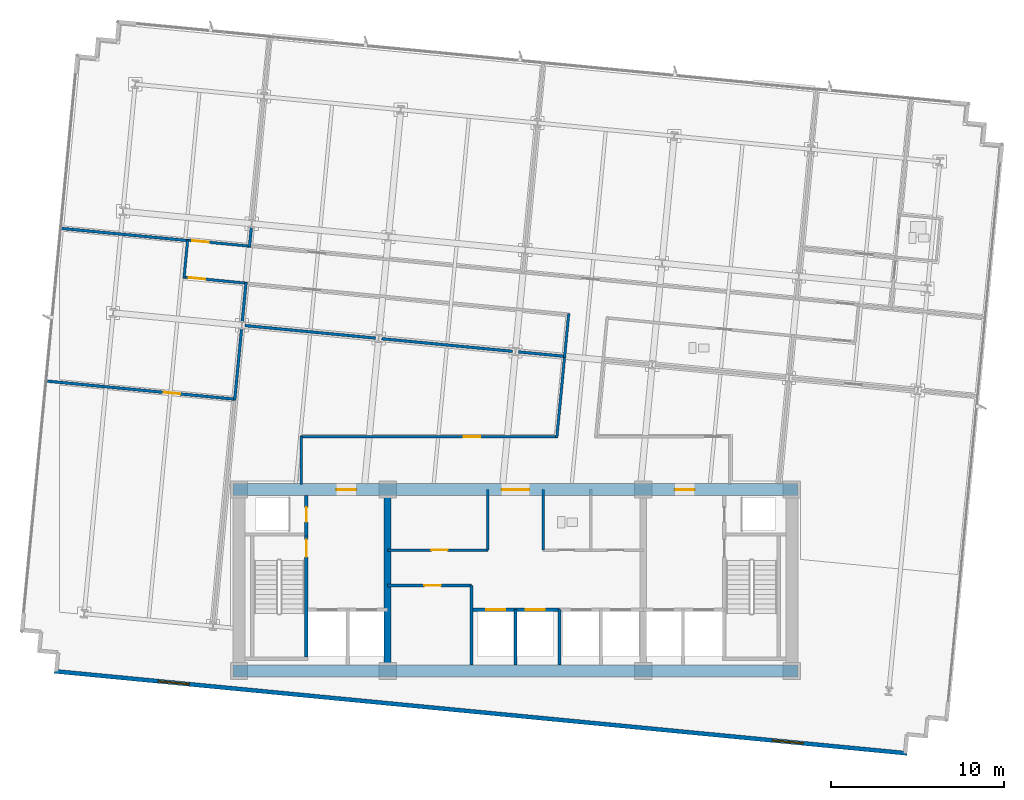
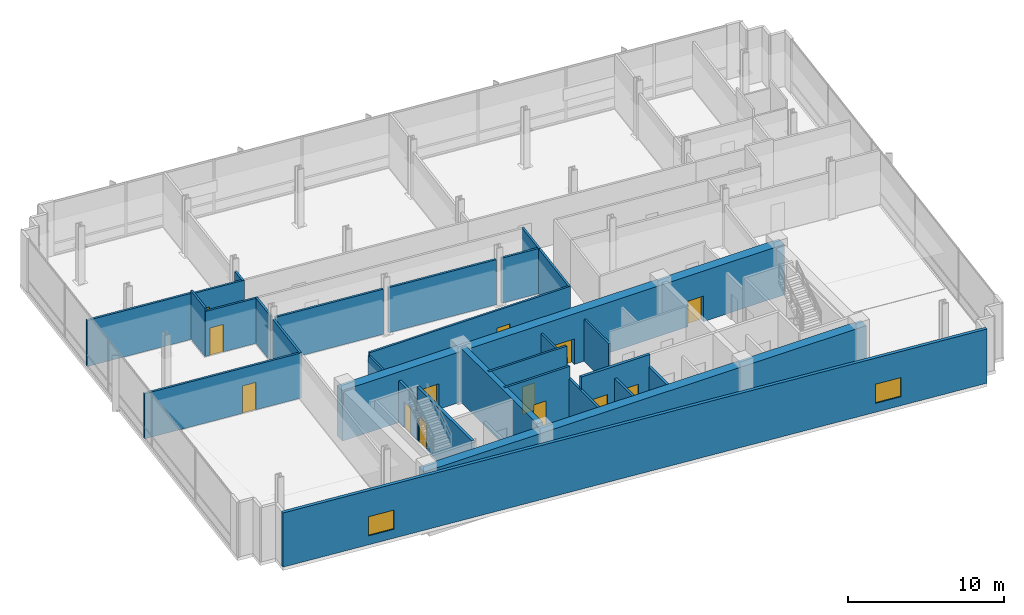
# One storey, part 11 of 17: 29 walls, 13 doors, 2 windows, 15 openings.
"""IFC4 building model written with IfcOpenShell, lengths in metres."""

from ifc_helpers import new_model, si_unit, direction, frame, frame_2d, origin, place, context, subcontext, project, spatial, rectangle, extrude, material, layer, layer_set, type_object, element, fill, save


model = new_model("IFC4")

# Units and contexts
model_context = context("Model", 3, precision=1e-05, world=origin(), true_north=direction((0.0, 1.0)))
body_context = subcontext(model_context, "Body", "Model", "MODEL_VIEW")
ifc_project = project(units=[si_unit("LENGTHUNIT", "METRE"), si_unit("AREAUNIT", "SQUARE_METRE"), si_unit("VOLUMEUNIT", "CUBIC_METRE"), si_unit("PLANEANGLEUNIT", "RADIAN"), si_unit("MASSUNIT", "GRAM", prefix="KILO")], contexts=[model_context])

# Site, building, storey
site_placement = place(None, origin())
site = spatial("IfcSite", under=ifc_project, at=site_placement, CompositionType="ELEMENT")
building_placement = place(site_placement, origin())
building = spatial("IfcBuilding", under=site, at=building_placement, Name="Solmavex Isthmus Hotel", CompositionType="ELEMENT")
storey_placement = place(building_placement, frame((0.0, 0.0, 177.300048828125)))
storey = spatial("IfcBuildingStorey", under=building, at=storey_placement, Name="L48", CompositionType="ELEMENT", Elevation=177.300048828125)

# Wall, openings, windows
ifc_material_1 = material(Name="Precast Concrete C40/50", Category="concrete")
ifc_layer_1 = layer(ifc_material_1, 0.25)
ifc_layer_set_1 = layer_set([ifc_layer_1], Name="Precast Concrete C40/50")
wall_type_1 = type_object("IfcWallType", Name="EW-TWR-250", PredefinedType="STANDARD", material=ifc_layer_set_1)
wall_1_placement = place(storey_placement, frame((-26.6953125, -13.01611328125, 0.0), z_axis=(0.0, 0.0, 1.0), x_axis=(0.995396268366, -0.095845025554, 0.0)))
wall_1 = element("IfcWall", 1, at=wall_1_placement, inside=storey, type_object=wall_type_1, Name="Tower Rear South Facade Wall L48", PredefinedType="STANDARD", context=body_context, shape_type="SweptSolid", body=[
    extrude(rectangle(XDim=49.599853515625, YDim=0.239990234375, at=frame_2d((24.7998046875, 0.0))), origin(), (0.0, 0.0, 1.0), 4.239990234375),
])
opening_1_placement = place(wall_1_placement, frame((6.0439453125, 0.0, 0.699951171875)))
opening_1 = element("IfcOpeningElement", 2, at=opening_1_placement, cuts=wall_1, Name="Opening WN-02", PredefinedType="OPENING", context=body_context, shape_type="SweptSolid", body=[
    extrude(rectangle(XDim=1.800048828125, YDim=1.5, at=frame_2d((0.89990234375, 0.75))), frame((0.0, 0.1298828125, 0.0), z_axis=(0.0, -1.0, 0.0), x_axis=(1.0, 0.0, 0.0)), (0.0, 0.0, 1.0), 0.260009765625),
])
opening_2_placement = place(wall_1_placement, frame((41.756103515625, 0.0, 0.699951171875)))
opening_2 = element("IfcOpeningElement", 3, at=opening_2_placement, cuts=wall_1, Name="Opening WN-02", PredefinedType="OPENING", context=body_context, shape_type="SweptSolid", body=[
    extrude(rectangle(XDim=1.800048828125, YDim=1.5, at=frame_2d((0.89990234375, 0.75))), frame((0.0, 0.1298828125, 0.0), z_axis=(0.0, -1.0, 0.0), x_axis=(1.0, 0.0, 0.0)), (0.0, 0.0, 1.0), 0.260009765625),
])
ifc_material_2 = material(Name="Clear low-E laminated glass", Category="glass")
window_type = type_object("IfcWindowType", Name="WIN-TWR-1800", PartitioningType="SINGLE_PANEL", PredefinedType="WINDOW", material=ifc_material_2)
window_1_placement = place(opening_1_placement, origin())
window_1 = element("IfcWindow", 4, at=window_1_placement, inside=storey, type_object=window_type, Name="South Facade Vision Window L48-S1", OverallHeight=1.5, OverallWidth=1.800048828125, PartitioningType="SINGLE_PANEL", PredefinedType="WINDOW", context=body_context, shape_type="SweptSolid", body=[
    extrude(rectangle(XDim=1.800048828125, YDim=1.5, at=frame_2d((0.89990234375, 0.75))), frame((0.0, 0.030029296875, 0.0), z_axis=(0.0, -1.0, 0.0), x_axis=(1.0, 0.0, 0.0)), (0.0, 0.0, 1.0), 0.06005859375),
])
fill(opening_1, window_1)
window_2_placement = place(opening_2_placement, origin())
window_2 = element("IfcWindow", 5, at=window_2_placement, inside=storey, type_object=window_type, Name="South Facade Vision Window L48-S2", OverallHeight=1.5, OverallWidth=1.800048828125, PartitioningType="SINGLE_PANEL", PredefinedType="WINDOW", context=body_context, shape_type="SweptSolid", body=[
    extrude(rectangle(XDim=1.800048828125, YDim=1.5, at=frame_2d((0.89990234375, 0.75))), frame((0.0, 0.030029296875, 0.0), z_axis=(0.0, -1.0, 0.0), x_axis=(1.0, 0.0, 0.0)), (0.0, 0.0, 1.0), 0.06005859375),
])
fill(opening_2, window_2)

# Wall, opening, door
ifc_material_3 = material(Name="Gypsum plasterboard lining", Category="gypsum")
ifc_layer_2 = layer(ifc_material_3, 0.159912109375)
ifc_layer_set_2 = layer_set([ifc_layer_2], Name="Gypsum plasterboard lining")
wall_type_2 = type_object("IfcWallType", Name="IW-COMP-160", PredefinedType="PARTITIONING", material=ifc_layer_set_2)
wall_2_placement = place(storey_placement, frame((-7.39990234375, -8.050048828125, 0.0), z_axis=(0.0, 0.0, 1.0), x_axis=(1.0, 0.0, 0.0)))
wall_2 = element("IfcWall", 6, at=wall_2_placement, inside=storey, type_object=wall_type_2, Name="Interior Partition Wall W-L48-REC-PLL-N", PredefinedType="PARTITIONING", context=body_context, shape_type="SweptSolid", body=[
    extrude(rectangle(XDim=4.849853515625, YDim=0.159912109375, at=frame_2d((2.4248046875, 0.0))), origin(), (0.0, 0.0, 1.0), 4.239990234375),
])
opening_3_placement = place(wall_2_placement, frame((2.125, 0.0, 0.0)))
opening_3 = element("IfcOpeningElement", 7, at=opening_3_placement, cuts=wall_2, Name="Opening ID-C095", PredefinedType="OPENING", context=body_context, shape_type="SweptSolid", body=[
    extrude(rectangle(XDim=0.949951171875, YDim=2.14990234375, at=frame_2d((0.47509765625, 1.074951171875))), frame((0.0, 0.08984375, 0.0), z_axis=(0.0, -1.0, 0.0), x_axis=(1.0, 0.0, 0.0)), (0.0, 0.0, 1.0), 0.179931640625),
])
ifc_material_4 = material(Name="Hardwood timber", Category="wood")
door_type_1 = type_object("IfcDoorType", Name="IDR-FD60-0950", OperationType="NOTDEFINED", PredefinedType="DOOR", material=ifc_material_4)
door_1_placement = place(opening_3_placement, origin())
door_1 = element("IfcDoor", 8, at=door_1_placement, inside=storey, type_object=door_type_1, Name="Linen Reserve Door L48", OperationType="SINGLE_SWING_LEFT", OverallHeight=2.14990234375, OverallWidth=0.949951171875, PredefinedType="DOOR", context=body_context, shape_type="SweptSolid", body=[
    extrude(rectangle(XDim=0.949951171875, YDim=2.14990234375, at=frame_2d((0.47509765625, 1.074951171875))), frame((0.0, 0.02490234375, 0.0), z_axis=(0.0, -1.0, 0.0), x_axis=(1.0, 0.0, 0.0)), (0.0, 0.0, 1.0), 0.050048828125),
])
fill(opening_3, door_1)

# Walls
wall_3_placement = place(storey_placement, frame((-2.550048828125, -12.64990234375, 0.0), z_axis=(0.0, 0.0, 1.0), x_axis=(0.0, 1.0, 0.0)))
element("IfcWall", 9, at=wall_3_placement, inside=storey, type_object=wall_type_2, Name="Interior Partition Wall W-L48-REC-PLL-E", PredefinedType="PARTITIONING", context=body_context, shape_type="SweptSolid", body=[
    extrude(rectangle(XDim=4.599853515625, YDim=0.159912109375, at=frame_2d((2.2998046875, 0.0))), origin(), (0.0, 0.0, 1.0), 3.27490234375),
])
wall_4_placement = place(storey_placement, frame((-15.2880859375, 12.720947265625, 0.0), z_axis=(0.0, 0.0, 1.0), x_axis=(-0.095831494917, -0.995397571115, 0.0)))
element("IfcWall", 10, at=wall_4_placement, inside=storey, type_object=wall_type_2, Name="Interior Partition Wall W-L48-P019", PredefinedType="PARTITIONING", context=body_context, shape_type="SweptSolid", body=[
    extrude(rectangle(XDim=1.171875, YDim=0.159912109375, at=frame_2d((0.5859375, 0.0))), origin(), (0.0, 0.0, 1.0), 3.529541015625),
])
wall_5_placement = place(storey_placement, frame((-18.942138671875, 11.91552734375, 0.0), z_axis=(0.0, 0.0, 1.0), x_axis=(-0.995395927026, 0.095848570461, 0.0)))
element("IfcWall", 11, at=wall_5_placement, inside=storey, type_object=wall_type_2, Name="Interior Partition Wall W-L48-P022", PredefinedType="PARTITIONING", context=body_context, shape_type="SweptSolid", body=[
    extrude(rectangle(XDim=7.44775390625, YDim=0.159912109375, at=frame_2d((3.723876953125, 0.0))), origin(), (0.0, 0.0, 1.0), 3.607421875),
])
wall_6_placement = place(storey_placement, frame((-15.820556640625, 7.190673828125, 0.0), z_axis=(0.0, 0.0, 1.0), x_axis=(0.09580488871, 0.995400132258, 0.0)))
element("IfcWall", 12, at=wall_6_placement, inside=storey, type_object=wall_type_2, Name="Interior Partition Wall W-L48-P044", PredefinedType="PARTITIONING", context=body_context, shape_type="SweptSolid", body=[
    extrude(rectangle(XDim=2.31396484375, YDim=0.159912109375, at=frame_2d((1.156982421875, 0.0))), origin(), (0.0, 0.0, 1.0), 3.529541015625),
])
for number, where, z_axis, x_axis, name in (
    (13, (-8.09326171875, 6.269775390625, 0.0), (0.0, 0.0, 1.0), (-0.995396962155, 0.095837819954, 0.0), "Interior Partition Wall W-L48-P045"),
    (14, (-0.173828125, 5.507080078125, 0.0), (0.0, 0.0, 1.0), (-0.995393898805, 0.095869631385, 0.0), "Interior Partition Wall W-L48-P046"),
):
    element("IfcWall", number, at=place(storey_placement, frame(where, z_axis=z_axis, x_axis=x_axis)), inside=storey, type_object=wall_type_2, Name=name, PredefinedType="PARTITIONING", context=body_context, shape_type="SweptSolid", body=[
        extrude(rectangle(XDim=7.60400390625, YDim=0.159912109375, at=frame_2d((3.802001953125, 0.0))), origin(), (0.0, 0.0, 1.0), 3.529541015625),
    ])
wall_7_placement = place(storey_placement, frame((2.885986328125, 5.212646484375, 0.0), z_axis=(0.0, 0.0, 1.0), x_axis=(-0.995401466761, 0.095791022391, 0.0)))
element("IfcWall", 15, at=wall_7_placement, inside=storey, type_object=wall_type_2, Name="Interior Partition Wall W-L48-P047", PredefinedType="PARTITIONING", context=body_context, shape_type="SweptSolid", body=[
    extrude(rectangle(XDim=2.721923828125, YDim=0.159912109375, at=frame_2d((1.36083984375, 0.0))), origin(), (0.0, 0.0, 1.0), 3.529541015625),
])
wall_8_placement = place(storey_placement, frame((-15.854248046875, 6.84033203125, 0.0), z_axis=(0.0, 0.0, 1.0), x_axis=(-0.095857634212, -0.995395054219, 0.0)))
element("IfcWall", 16, at=wall_8_placement, inside=storey, type_object=wall_type_2, Name="Interior Partition Wall W-L48-P049", PredefinedType="PARTITIONING", context=body_context, shape_type="SweptSolid", body=[
    extrude(rectangle(XDim=4.164306640625, YDim=0.159912109375, at=frame_2d((2.08203125, 0.0))), origin(), (0.0, 0.0, 1.0), 3.529541015625),
])

# Wall, opening, door
wall_9_placement = place(storey_placement, frame((-16.209716796875, 2.7314453125, 0.0), z_axis=(0.0, 0.0, 1.0), x_axis=(-0.99539691551, 0.095838304419, 0.0)))
wall_9 = element("IfcWall", 17, at=wall_9_placement, inside=storey, type_object=wall_type_2, Name="Interior Partition Wall W-L48-P050", PredefinedType="PARTITIONING", context=body_context, shape_type="SweptSolid", body=[
    extrude(rectangle(XDim=11.048095703125, YDim=0.159912109375, at=frame_2d((5.52392578125, 0.0))), origin(), (0.0, 0.0, 1.0), 3.529541015625),
])
opening_4_placement = place(wall_9_placement, frame((3.206298828125, 0.0, 0.0)))
opening_4 = element("IfcOpeningElement", 18, at=opening_4_placement, cuts=wall_9, Name="Opening ID-C095", PredefinedType="OPENING", context=body_context, shape_type="SweptSolid", body=[
    extrude(rectangle(XDim=0.949951171875, YDim=2.14990234375, at=frame_2d((0.47509765625, 1.074951171875))), frame((0.0, 0.08984375, 0.0), z_axis=(0.0, -1.0, 0.0), x_axis=(1.0, 0.0, 0.0)), (0.0, 0.0, 1.0), 0.179931640625),
])
door_2_placement = place(opening_4_placement, origin())
door_2 = element("IfcDoor", 19, at=door_2_placement, inside=storey, type_object=door_type_1, Name="Corporate Briefing Office Door L48-15", OperationType="SINGLE_SWING_LEFT", OverallHeight=2.14990234375, OverallWidth=0.949951171875, PredefinedType="DOOR", context=body_context, shape_type="SweptSolid", body=[
    extrude(rectangle(XDim=0.949951171875, YDim=2.14990234375, at=frame_2d((0.47509765625, 1.074951171875))), frame((0.0, 0.02490234375, 0.0), z_axis=(0.0, -1.0, 0.0), x_axis=(1.0, 0.0, 0.0)), (0.0, 0.0, 1.0), 0.050048828125),
])
fill(opening_4, door_2)

ifc_layer_3 = layer(ifc_material_3, 0.14990234375)
ifc_layer_set_3 = layer_set([ifc_layer_3], Name="Gypsum plasterboard lining")
wall_type_3 = type_object("IfcWallType", Name="IW-CORR-150", PredefinedType="PARTITIONING", material=ifc_layer_set_3)
wall_10_placement = place(storey_placement, frame((-7.39990234375, -6.0, 0.0), z_axis=(0.0, 0.0, 1.0), x_axis=(1.0, 0.0, 0.0)))
wall_10 = element("IfcWall", 20, at=wall_10_placement, inside=storey, type_object=wall_type_3, Name="Interior Partition Wall W-L48-BOH-WS", PredefinedType="PARTITIONING", context=body_context, shape_type="SweptSolid", body=[
    extrude(rectangle(XDim=5.7998046875, YDim=0.14990234375, at=frame_2d((2.89990234375, 0.0))), origin(), (0.0, 0.0, 1.0), 4.239990234375),
])
opening_5_placement = place(wall_10_placement, frame((2.52490234375, 0.0, 0.0)))
opening_5 = element("IfcOpeningElement", 21, at=opening_5_placement, cuts=wall_10, Name="Opening ID-C095", PredefinedType="OPENING", context=body_context, shape_type="SweptSolid", body=[
    extrude(rectangle(XDim=0.949951171875, YDim=2.14990234375, at=frame_2d((0.47509765625, 1.074951171875))), frame((0.0, 0.0849609375, 0.0), z_axis=(0.0, -1.0, 0.0), x_axis=(1.0, 0.0, 0.0)), (0.0, 0.0, 1.0), 0.169921875),
])
door_3_placement = place(opening_5_placement, frame((0.949951171875, 0.0, 0.0), z_axis=(0.0, 0.0, 1.0), x_axis=(-1.0, 0.0, 0.0)))
door_3 = element("IfcDoor", 22, at=door_3_placement, inside=storey, type_object=door_type_1, Name="Housekeeping Room Door L48", OperationType="SINGLE_SWING_LEFT", OverallHeight=2.14990234375, OverallWidth=0.949951171875, PredefinedType="DOOR", context=body_context, shape_type="SweptSolid", body=[
    extrude(rectangle(XDim=0.949951171875, YDim=2.14990234375, at=frame_2d((0.47509765625, 1.074951171875))), frame((0.0, 0.02490234375, 0.0), z_axis=(0.0, -1.0, 0.0), x_axis=(1.0, 0.0, 0.0)), (0.0, 0.0, 1.0), 0.050048828125),
])
fill(opening_5, door_3)

# Walls
for number, where, z_axis, x_axis, name in (
    (23, (-1.60009765625, -6.0, 0.0), (0.0, 0.0, 1.0), (0.0, 1.0, 0.0), "Interior Partition Wall W-L48-BOH-WE"),
    (24, (1.60009765625, -6.0, 0.0), (0.0, 0.0, 1.0), (0.0, 1.0, 0.0), "Interior Partition Wall W-L48-BOH-EW"),
):
    element("IfcWall", number, at=place(storey_placement, frame(where, z_axis=z_axis, x_axis=x_axis)), inside=storey, type_object=wall_type_3, Name=name, PredefinedType="PARTITIONING", context=body_context, shape_type="SweptSolid", body=[
        extrude(rectangle(XDim=3.5, YDim=0.14990234375, at=frame_2d((1.75, 0.0))), origin(), (0.0, 0.0, 1.0), 3.27490234375),
    ])

# Wall, opening, door
wall_11_placement = place(storey_placement, frame((-19.019775390625, 11.943115234375, 0.0), z_axis=(0.0, 0.0, 1.0), x_axis=(0.995397364202, -0.095833644092, 0.0)))
wall_11 = element("IfcWall", 25, at=wall_11_placement, inside=storey, type_object=wall_type_3, Name="Interior Partition Wall W-L48-P001", PredefinedType="PARTITIONING", context=body_context, shape_type="SweptSolid", body=[
    extrude(rectangle(XDim=3.721923828125, YDim=0.14990234375, at=frame_2d((1.86083984375, 0.0))), origin(), (0.0, 0.0, 1.0), 3.529541015625),
])
opening_6_placement = place(wall_11_placement, frame((0.315185546875, 0.0, 0.0)))
opening_6 = element("IfcOpeningElement", 26, at=opening_6_placement, cuts=wall_11, Name="Opening ID-C095", PredefinedType="OPENING", context=body_context, shape_type="SweptSolid", body=[
    extrude(rectangle(XDim=0.949951171875, YDim=2.14990234375, at=frame_2d((0.47509765625, 1.074951171875))), frame((0.0, 0.0849609375, 0.0), z_axis=(0.0, -1.0, 0.0), x_axis=(1.0, 0.0, 0.0)), (0.0, 0.0, 1.0), 0.169921875),
])
door_4_placement = place(opening_6_placement, frame((0.949951171875, 0.0, 0.0), z_axis=(0.0, 0.0, 1.0), x_axis=(-1.0, 0.0, 0.0)))
door_4 = element("IfcDoor", 27, at=door_4_placement, inside=storey, type_object=door_type_1, Name="Vitality Fitness Studio Door L48-01", OperationType="SINGLE_SWING_LEFT", OverallHeight=2.14990234375, OverallWidth=0.949951171875, PredefinedType="DOOR", context=body_context, shape_type="SweptSolid", body=[
    extrude(rectangle(XDim=0.949951171875, YDim=2.14990234375, at=frame_2d((0.47509765625, 1.074951171875))), frame((0.0, 0.02490234375, 0.0), z_axis=(0.0, -1.0, 0.0), x_axis=(1.0, 0.0, 0.0)), (0.0, 0.0, 1.0), 0.050048828125),
])
fill(opening_6, door_4)

# Wall
wall_12_placement = place(storey_placement, frame((2.83837890625, 5.134765625, 0.0), z_axis=(0.0, 0.0, 1.0), x_axis=(0.095772090971, 0.995403288417, 0.0)))
element("IfcWall", 28, at=wall_12_placement, inside=storey, type_object=wall_type_3, Name="Interior Partition Wall W-L48-P009", PredefinedType="PARTITIONING", context=body_context, shape_type="SweptSolid", body=[
    extrude(rectangle(XDim=2.572021484375, YDim=0.14990234375, at=frame_2d((1.2861328125, 0.0))), origin(), (0.0, 0.0, 1.0), 3.529541015625),
])

# Wall, opening, door
wall_13_placement = place(storey_placement, frame((-15.52099609375, 9.4462890625, 0.0), z_axis=(0.0, 0.0, 1.0), x_axis=(-0.995397364202, 0.095833644092, 0.0)))
wall_13 = element("IfcWall", 29, at=wall_13_placement, inside=storey, type_object=wall_type_3, Name="Interior Partition Wall W-L48-P014", PredefinedType="PARTITIONING", context=body_context, shape_type="SweptSolid", body=[
    extrude(rectangle(XDim=3.721923828125, YDim=0.14990234375, at=frame_2d((1.86083984375, 0.0))), origin(), (0.0, 0.0, 1.0), 3.529541015625),
])
opening_7_placement = place(wall_13_placement, frame((2.456787109375, 0.0, 0.0)))
opening_7 = element("IfcOpeningElement", 30, at=opening_7_placement, cuts=wall_13, Name="Opening ID-C095", PredefinedType="OPENING", context=body_context, shape_type="SweptSolid", body=[
    extrude(rectangle(XDim=0.949951171875, YDim=2.14990234375, at=frame_2d((0.47509765625, 1.074951171875))), frame((0.0, 0.0849609375, 0.0), z_axis=(0.0, -1.0, 0.0), x_axis=(1.0, 0.0, 0.0)), (0.0, 0.0, 1.0), 0.169921875),
])
door_5_placement = place(opening_7_placement, frame((0.949951171875, 0.0, 0.0), z_axis=(0.0, 0.0, 1.0), x_axis=(-1.0, 0.0, 0.0)))
door_5 = element("IfcDoor", 31, at=door_5_placement, inside=storey, type_object=door_type_1, Name="Executive Hospitality Lounge Door L48-12", OperationType="SINGLE_SWING_RIGHT", OverallHeight=2.14990234375, OverallWidth=0.949951171875, PredefinedType="DOOR", context=body_context, shape_type="SweptSolid", body=[
    extrude(rectangle(XDim=0.949951171875, YDim=2.14990234375, at=frame_2d((0.47509765625, 1.074951171875))), frame((0.0, 0.02490234375, 0.0), z_axis=(0.0, -1.0, 0.0), x_axis=(1.0, 0.0, 0.0)), (0.0, 0.0, 1.0), 0.050048828125),
])
fill(opening_7, door_5)

# Walls
wall_14_placement = place(storey_placement, frame((-19.18994140625, 9.75927734375, 0.0), z_axis=(0.0, 0.0, 1.0), x_axis=(0.095882898123, 0.995392620953, 0.0)))
element("IfcWall", 32, at=wall_14_placement, inside=storey, type_object=wall_type_3, Name="Interior Partition Wall W-L48-P015", PredefinedType="PARTITIONING", context=body_context, shape_type="SweptSolid", body=[
    extrude(rectangle(XDim=2.210205078125, YDim=0.14990234375, at=frame_2d((1.10498046875, 0.0))), origin(), (0.0, 0.0, 1.0), 3.76806640625),
])
wall_15_placement = place(storey_placement, frame((-12.39990234375, -2.18994140625, 0.0), z_axis=(0.0, 0.0, 1.0), x_axis=(0.0, 1.0, 0.0)))
element("IfcWall", 33, at=wall_15_placement, inside=storey, type_object=wall_type_3, Name="Interior Partition Wall W-L48-P016", PredefinedType="PARTITIONING", context=body_context, shape_type="SweptSolid", body=[
    extrude(rectangle(XDim=2.780029296875, YDim=0.14990234375, at=frame_2d((1.39013671875, 0.0))), origin(), (0.0, 0.0, 1.0), 3.27490234375),
])

# Wall, opening, door
wall_16_placement = place(storey_placement, frame((-12.43994140625, 0.550048828125, 0.0), z_axis=(0.0, 0.0, 1.0), x_axis=(1.0, 0.0, 0.0)))
wall_16 = element("IfcWall", 34, at=wall_16_placement, inside=storey, type_object=wall_type_3, Name="Interior Partition Wall W-L48-P017", PredefinedType="PARTITIONING", context=body_context, shape_type="SweptSolid", body=[
    extrude(rectangle(XDim=14.876708984375, YDim=0.14990234375, at=frame_2d((7.4384765625, 0.0))), origin(), (0.0, 0.0, 1.0), 3.529541015625),
])
opening_8_placement = place(wall_16_placement, frame((9.44921875, 0.0, 0.0)))
opening_8 = element("IfcOpeningElement", 35, at=opening_8_placement, cuts=wall_16, Name="Opening ID-C095", PredefinedType="OPENING", context=body_context, shape_type="SweptSolid", body=[
    extrude(rectangle(XDim=0.949951171875, YDim=2.14990234375, at=frame_2d((0.47509765625, 1.074951171875))), frame((0.0, 0.0849609375, 0.0), z_axis=(0.0, -1.0, 0.0), x_axis=(1.0, 0.0, 0.0)), (0.0, 0.0, 1.0), 0.169921875),
])
door_6_placement = place(opening_8_placement, frame((0.949951171875, 0.0, 0.0), z_axis=(0.0, 0.0, 1.0), x_axis=(-1.0, 0.0, 0.0)))
door_6 = element("IfcDoor", 36, at=door_6_placement, inside=storey, type_object=door_type_1, Name="Catering Servery Kitchen Door L48-14", OperationType="SINGLE_SWING_RIGHT", OverallHeight=2.14990234375, OverallWidth=0.949951171875, PredefinedType="DOOR", context=body_context, shape_type="SweptSolid", body=[
    extrude(rectangle(XDim=0.949951171875, YDim=2.14990234375, at=frame_2d((0.47509765625, 1.074951171875))), frame((0.0, 0.02490234375, 0.0), z_axis=(0.0, -1.0, 0.0), x_axis=(1.0, 0.0, 0.0)), (0.0, 0.0, 1.0), 0.050048828125),
])
fill(opening_8, door_6)

# Walls
wall_17_placement = place(storey_placement, frame((2.39306640625, 0.51025390625, 0.0), z_axis=(0.0, 0.0, 1.0), x_axis=(0.095829431913, 0.995397769728, 0.0)))
element("IfcWall", 37, at=wall_17_placement, inside=storey, type_object=wall_type_3, Name="Interior Partition Wall W-L48-P018", PredefinedType="PARTITIONING", context=body_context, shape_type="SweptSolid", body=[
    extrude(rectangle(XDim=4.81005859375, YDim=0.14990234375, at=frame_2d((2.405029296875, 0.0))), origin(), (0.0, 0.0, 1.0), 3.529541015625),
])
ifc_material_5 = material(Name="Concrete C40/50", Category="concrete")
ifc_layer_4 = layer(ifc_material_5, 0.179931640625)
ifc_layer_set_4 = layer_set([ifc_layer_4], Name="Concrete C40/50")
wall_type_4 = type_object("IfcWallType", Name="IW-SHAFT-180", PredefinedType="PARTITIONING", material=ifc_layer_set_4)
wall_18_placement = place(storey_placement, frame((0.0, -12.64990234375, 0.0), z_axis=(0.0, 0.0, 1.0), x_axis=(0.0, 1.0, 0.0)))
element("IfcWall", 38, at=wall_18_placement, inside=storey, type_object=wall_type_4, Name="Interior Partition Wall W-L48-SH-PLM-M", PredefinedType="PARTITIONING", context=body_context, shape_type="SweptSolid", body=[
    extrude(rectangle(XDim=3.199951171875, YDim=0.179931640625, at=frame_2d((1.60009765625, 0.0))), origin(), (0.0, 0.0, 1.0), 3.27490234375),
])

# Wall, opening, door
ifc_layer_5 = layer(ifc_material_5, 0.199951171875)
ifc_layer_set_5 = layer_set([ifc_layer_5], Name="Concrete C40/50")
wall_type_5 = type_object("IfcWallType", Name="IW-SHAFT-200", PredefinedType="PARTITIONING", material=ifc_layer_set_5)
wall_19_placement = place(storey_placement, frame((-12.10009765625, -5.199951171875, 0.0), z_axis=(0.0, 0.0, 1.0), x_axis=(0.0, 1.0, 0.0)))
wall_19 = element("IfcWall", 39, at=wall_19_placement, inside=storey, type_object=wall_type_5, Name="Interior Partition Wall W-L48-RSW-E", PredefinedType="PARTITIONING", context=body_context, shape_type="SweptSolid", body=[
    extrude(rectangle(XDim=2.349853515625, YDim=0.199951171875, at=frame_2d((1.1748046875, 0.0))), origin(), (0.0, 0.0, 1.0), 3.27490234375),
])
opening_9_placement = place(wall_19_placement, frame((0.824951171875, 0.0, 0.0)))
opening_9 = element("IfcOpeningElement", 40, at=opening_9_placement, cuts=wall_19, Name="Opening ID-R085", PredefinedType="OPENING", context=body_context, shape_type="SweptSolid", body=[
    extrude(rectangle(XDim=0.85009765625, YDim=2.050048828125, at=frame_2d((0.425048828125, 1.02490234375))), frame((0.0, 0.10986328125, 0.0), z_axis=(0.0, -1.0, 0.0), x_axis=(1.0, 0.0, 0.0)), (0.0, 0.0, 1.0), 0.219970703125),
])
ifc_material_6 = material(Name="Steel ASTM A500 Grade C", Category="steel")
door_type_2 = type_object("IfcDoorType", Name="IDR-FD60-0850", OperationType="NOTDEFINED", PredefinedType="DOOR", material=ifc_material_6)
door_7_placement = place(opening_9_placement, origin())
door_7 = element("IfcDoor", 41, at=door_7_placement, inside=storey, type_object=door_type_2, Name="Electrical Riser Door L48", OperationType="SINGLE_SWING_RIGHT", OverallHeight=2.050048828125, OverallWidth=0.85009765625, PredefinedType="DOOR", context=body_context, shape_type="SweptSolid", body=[
    extrude(rectangle(XDim=0.85009765625, YDim=2.050048828125, at=frame_2d((0.425048828125, 1.02490234375))), frame((0.0, 0.02490234375, 0.0), z_axis=(0.0, -1.0, 0.0), x_axis=(1.0, 0.0, 0.0)), (0.0, 0.0, 1.0), 0.050048828125),
])
fill(opening_9, door_7)

# Wall, openings, doors
wall_20_placement = place(storey_placement, frame((-2.550048828125, -9.449951171875, 0.0), z_axis=(0.0, 0.0, 1.0), x_axis=(1.0, 0.0, 0.0)))
wall_20 = element("IfcWall", 42, at=wall_20_placement, inside=storey, type_object=wall_type_5, Name="Interior Partition Wall W-L48-SH-PLM", PredefinedType="PARTITIONING", context=body_context, shape_type="SweptSolid", body=[
    extrude(rectangle(XDim=5.10009765625, YDim=0.199951171875, at=frame_2d((2.550048828125, 0.0))), origin(), (0.0, 0.0, 1.0), 4.239990234375),
])
opening_10_placement = place(wall_20_placement, frame((0.85009765625, 0.0, 0.0)))
opening_10 = element("IfcOpeningElement", 43, at=opening_10_placement, cuts=wall_20, Name="Opening LD-PL", PredefinedType="OPENING", context=body_context, shape_type="SweptSolid", body=[
    extrude(rectangle(XDim=1.10009765625, YDim=2.199951171875, at=frame_2d((0.550048828125, 1.10009765625))), frame((0.0, 0.10986328125, 0.0), z_axis=(0.0, -1.0, 0.0), x_axis=(1.0, 0.0, 0.0)), (0.0, 0.0, 1.0), 0.219970703125),
])
opening_11_placement = place(wall_20_placement, frame((3.14990234375, 0.0, 0.0)))
opening_11 = element("IfcOpeningElement", 44, at=opening_11_placement, cuts=wall_20, Name="Opening LD-PL", PredefinedType="OPENING", context=body_context, shape_type="SweptSolid", body=[
    extrude(rectangle(XDim=1.10009765625, YDim=2.199951171875, at=frame_2d((0.550048828125, 1.10009765625))), frame((0.0, 0.10986328125, 0.0), z_axis=(0.0, -1.0, 0.0), x_axis=(1.0, 0.0, 0.0)), (0.0, 0.0, 1.0), 0.219970703125),
])
ifc_material_7 = material(Name="Stainless steel 316", Category="steel")
door_type_3 = type_object("IfcDoorType", Name="LDR-PL-1100", OperationType="NOTDEFINED", PredefinedType="DOOR", material=ifc_material_7)
door_8_placement = place(opening_10_placement, origin())
door_8 = element("IfcDoor", 45, at=door_8_placement, inside=storey, type_object=door_type_3, Name="Lift Landing Door PLM1 L48", OperationType="SLIDING_TO_RIGHT", OverallHeight=2.199951171875, OverallWidth=1.10009765625, PredefinedType="DOOR", context=body_context, shape_type="SweptSolid", body=[
    extrude(rectangle(XDim=1.10009765625, YDim=2.199951171875, at=frame_2d((0.550048828125, 1.10009765625))), frame((0.0, 0.02490234375, 0.0), z_axis=(0.0, -1.0, 0.0), x_axis=(1.0, 0.0, 0.0)), (0.0, 0.0, 1.0), 0.050048828125),
])
fill(opening_10, door_8)
door_9_placement = place(opening_11_placement, origin())
door_9 = element("IfcDoor", 46, at=door_9_placement, inside=storey, type_object=door_type_3, Name="Lift Landing Door PLM2 L48", OperationType="SLIDING_TO_RIGHT", OverallHeight=2.199951171875, OverallWidth=1.10009765625, PredefinedType="DOOR", context=body_context, shape_type="SweptSolid", body=[
    extrude(rectangle(XDim=1.10009765625, YDim=2.199951171875, at=frame_2d((0.550048828125, 1.10009765625))), frame((0.0, 0.02490234375, 0.0), z_axis=(0.0, -1.0, 0.0), x_axis=(1.0, 0.0, 0.0)), (0.0, 0.0, 1.0), 0.050048828125),
])
fill(opening_11, door_9)

# Walls
wall_21_placement = place(storey_placement, frame((2.550048828125, -12.64990234375, 0.0), z_axis=(0.0, 0.0, 1.0), x_axis=(0.0, 1.0, 0.0)))
element("IfcWall", 47, at=wall_21_placement, inside=storey, type_object=wall_type_5, Name="Interior Partition Wall W-L48-SH-PLM-E", PredefinedType="PARTITIONING", context=body_context, shape_type="SweptSolid", body=[
    extrude(rectangle(XDim=3.199951171875, YDim=0.199951171875, at=frame_2d((1.60009765625, 0.0))), origin(), (0.0, 0.0, 1.0), 3.27490234375),
])
ifc_material_8 = material(Name="Concrete C60/75", Category="concrete")
ifc_layer_6 = layer(ifc_material_8, 0.39990234375)
ifc_layer_set_6 = layer_set([ifc_layer_6], Name="Concrete C60/75")
wall_type_6 = type_object("IfcWallType", Name="WALL-CW-400M", PredefinedType="SHEAR", material=ifc_layer_set_6)
wall_22_placement = place(storey_placement, frame((-7.39990234375, -12.64990234375, 0.0), z_axis=(0.0, 0.0, 1.0), x_axis=(0.0, 1.0, 0.0)))
element("IfcWall", 48, at=wall_22_placement, inside=storey, type_object=wall_type_6, Name="Core Cross Shear Wall C1 L48", PredefinedType="SHEAR", context=body_context, shape_type="SweptSolid", body=[
    extrude(rectangle(XDim=9.7998046875, YDim=0.39990234375, at=frame_2d((4.89990234375, 0.0))), origin(), (0.0, 0.0, 1.0), 4.239990234375),
])
ifc_layer_7 = layer(ifc_material_8, 0.699951171875)
ifc_layer_set_7 = layer_set([ifc_layer_7], Name="Concrete C60/75")
wall_type_7 = type_object("IfcWallType", Name="WALL-CW-700", PredefinedType="SHEAR", material=ifc_layer_set_7)
wall_23_placement = place(storey_placement, frame((-16.35009765625, -13.0, 0.0), z_axis=(0.0, 0.0, 1.0), x_axis=(1.0, 0.0, 0.0)))
element("IfcWall", 49, at=wall_23_placement, inside=storey, type_object=wall_type_7, Name="Core Shear Wall South L48", PredefinedType="SHEAR", context=body_context, shape_type="SweptSolid", body=[
    extrude(rectangle(XDim=32.7001953125, YDim=0.699951171875, at=frame_2d((16.35009765625, 0.0))), origin(), (0.0, 0.0, 1.0), 3.9599609375),
])

# Wall, openings, doors
wall_24_placement = place(storey_placement, frame((-16.35009765625, -2.5, 0.0), z_axis=(0.0, 0.0, 1.0), x_axis=(1.0, 0.0, 0.0)))
wall_24 = element("IfcWall", 50, at=wall_24_placement, inside=storey, type_object=wall_type_7, Name="Core Shear Wall North L48", PredefinedType="SHEAR", context=body_context, shape_type="SweptSolid", body=[
    extrude(rectangle(XDim=32.7001953125, YDim=0.699951171875, at=frame_2d((16.35009765625, 0.0))), origin(), (0.0, 0.0, 1.0), 3.9599609375),
])
opening_12_placement = place(wall_24_placement, frame((5.97509765625, 0.0, 0.0)))
opening_12 = element("IfcOpeningElement", 51, at=opening_12_placement, cuts=wall_24, Name="Opening ID-F915", PredefinedType="OPENING", context=body_context, shape_type="SweptSolid", body=[
    extrude(rectangle(XDim=1.14990234375, YDim=2.0, at=frame_2d((0.574951171875, 1.0))), frame((0.0, 0.35986328125, 0.0), z_axis=(0.0, -1.0, 0.0), x_axis=(1.0, 0.0, 0.0)), (0.0, 0.0, 1.0), 0.719970703125),
])
opening_13_placement = place(wall_24_placement, frame((15.550048828125, 0.0, 0.0)))
opening_13 = element("IfcOpeningElement", 52, at=opening_13_placement, cuts=wall_24, Name="Opening ID-F960", PredefinedType="OPENING", context=body_context, shape_type="SweptSolid", body=[
    extrude(rectangle(XDim=1.60009765625, YDim=2.0, at=frame_2d((0.800048828125, 1.0))), frame((0.0, 0.35986328125, 0.0), z_axis=(0.0, -1.0, 0.0), x_axis=(1.0, 0.0, 0.0)), (0.0, 0.0, 1.0), 0.719970703125),
])
opening_14_placement = place(wall_24_placement, frame((25.574951171875, 0.0, 0.0)))
opening_14 = element("IfcOpeningElement", 53, at=opening_14_placement, cuts=wall_24, Name="Opening ID-F915", PredefinedType="OPENING", context=body_context, shape_type="SweptSolid", body=[
    extrude(rectangle(XDim=1.14990234375, YDim=2.0, at=frame_2d((0.574951171875, 1.0))), frame((0.0, 0.35986328125, 0.0), z_axis=(0.0, -1.0, 0.0), x_axis=(1.0, 0.0, 0.0)), (0.0, 0.0, 1.0), 0.719970703125),
])
door_type_4 = type_object("IfcDoorType", Name="IDR-FD90-1150C", OperationType="NOTDEFINED", PredefinedType="DOOR", material=ifc_material_6)
door_10_placement = place(opening_12_placement, origin())
door_10 = element("IfcDoor", 54, at=door_10_placement, inside=storey, type_object=door_type_4, Name="Firefighting Lobby West Exit Door L48", OperationType="SINGLE_SWING_LEFT", OverallHeight=2.0, OverallWidth=1.14990234375, PredefinedType="DOOR", context=body_context, shape_type="SweptSolid", body=[
    extrude(rectangle(XDim=1.14990234375, YDim=2.0, at=frame_2d((0.574951171875, 1.0))), frame((0.0, 0.02490234375, 0.0), z_axis=(0.0, -1.0, 0.0), x_axis=(1.0, 0.0, 0.0)), (0.0, 0.0, 1.0), 0.050048828125),
])
fill(opening_12, door_10)
door_11_placement = place(opening_14_placement, origin())
door_11 = element("IfcDoor", 55, at=door_11_placement, inside=storey, type_object=door_type_4, Name="Firefighting Lobby East Exit Door L48", OperationType="SINGLE_SWING_RIGHT", OverallHeight=2.0, OverallWidth=1.14990234375, PredefinedType="DOOR", context=body_context, shape_type="SweptSolid", body=[
    extrude(rectangle(XDim=1.14990234375, YDim=2.0, at=frame_2d((0.574951171875, 1.0))), frame((0.0, 0.02490234375, 0.0), z_axis=(0.0, -1.0, 0.0), x_axis=(1.0, 0.0, 0.0)), (0.0, 0.0, 1.0), 0.050048828125),
])
fill(opening_14, door_11)
door_type_5 = type_object("IfcDoorType", Name="IDR-FD90-1600C", OperationType="NOTDEFINED", PredefinedType="DOOR", material=ifc_material_6)
door_12_placement = place(opening_13_placement, origin())
door_12 = element("IfcDoor", 56, at=door_12_placement, inside=storey, type_object=door_type_5, Name="Central Lift Lobby Door L48", OperationType="DOUBLE_DOOR_SINGLE_SWING", OverallHeight=2.0, OverallWidth=1.60009765625, PredefinedType="DOOR", context=body_context, shape_type="SweptSolid", body=[
    extrude(rectangle(XDim=1.60009765625, YDim=2.0, at=frame_2d((0.800048828125, 1.0))), frame((0.0, 0.02490234375, 0.0), z_axis=(0.0, -1.0, 0.0), x_axis=(1.0, 0.0, 0.0)), (0.0, 0.0, 1.0), 0.050048828125),
])
fill(opening_13, door_12)

# Wall, opening, door
ifc_layer_8 = layer(ifc_material_5, 0.199951171875)
ifc_layer_set_8 = layer_set([ifc_layer_8], Name="Concrete C40/50")
wall_type_8 = type_object("IfcWallType", Name="WALL-SW-200", PredefinedType="SOLIDWALL", material=ifc_layer_set_8)
wall_25_placement = place(storey_placement, frame((-12.10009765625, -12.199951171875, 0.0), z_axis=(0.0, 0.0, 1.0), x_axis=(0.0, 1.0, 0.0)))
wall_25 = element("IfcWall", 57, at=wall_25_placement, inside=storey, type_object=wall_type_8, Name="Stairwell Structural Wall SW-L48-ST1-E", PredefinedType="SOLIDWALL", context=body_context, shape_type="SweptSolid", body=[
    extrude(rectangle(XDim=7.0, YDim=0.199951171875, at=frame_2d((3.5, 0.0))), origin(), (0.0, 0.0, 1.0), 4.239990234375),
])
opening_15_placement = place(wall_25_placement, frame((5.800048828125, 0.0, 0.0)))
opening_15 = element("IfcOpeningElement", 58, at=opening_15_placement, cuts=wall_25, Name="Opening ID-F100", PredefinedType="OPENING", context=body_context, shape_type="SweptSolid", body=[
    extrude(rectangle(XDim=1.0, YDim=2.10009765625, at=frame_2d((0.5, 1.050048828125))), frame((0.0, 0.10986328125, 0.0), z_axis=(0.0, -1.0, 0.0), x_axis=(1.0, 0.0, 0.0)), (0.0, 0.0, 1.0), 0.219970703125),
])
door_type_6 = type_object("IfcDoorType", Name="IDR-FD90-1000", OperationType="NOTDEFINED", PredefinedType="DOOR", material=ifc_material_6)
door_13_placement = place(opening_15_placement, frame((1.0, 0.0, 0.0), z_axis=(0.0, 0.0, 1.0), x_axis=(-1.0, 0.0, 0.0)))
door_13 = element("IfcDoor", 59, at=door_13_placement, inside=storey, type_object=door_type_6, Name="Stair ST-1 Fire Door L48", OperationType="SINGLE_SWING_LEFT", OverallHeight=2.10009765625, OverallWidth=1.0, PredefinedType="DOOR", context=body_context, shape_type="SweptSolid", body=[
    extrude(rectangle(XDim=1.0, YDim=2.10009765625, at=frame_2d((0.5, 1.050048828125))), frame((0.0, 0.02490234375, 0.0), z_axis=(0.0, -1.0, 0.0), x_axis=(1.0, 0.0, 0.0)), (0.0, 0.0, 1.0), 0.050048828125),
])
fill(opening_15, door_13)

save(model, "model.ifc")
